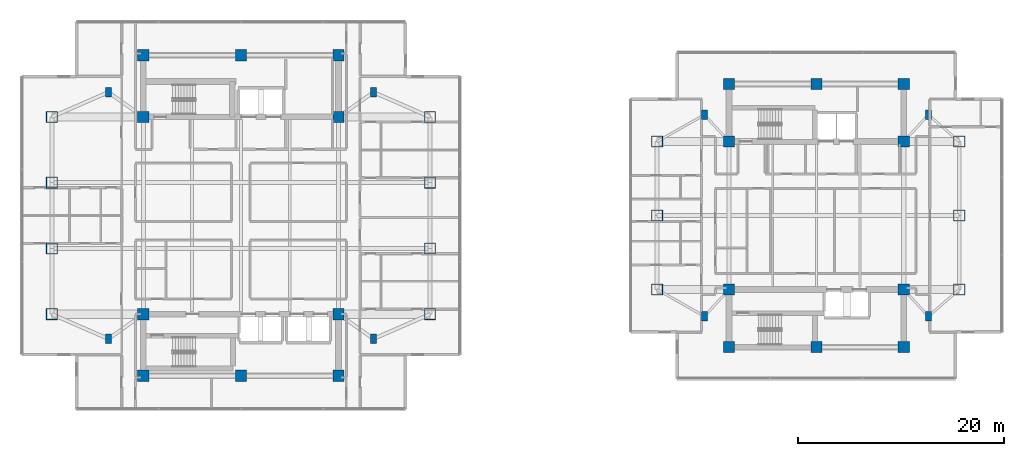
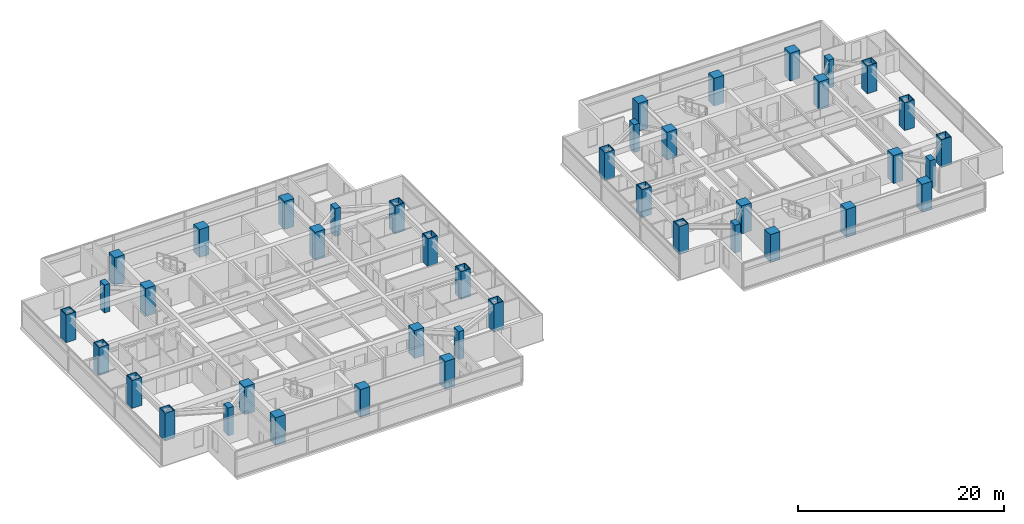
# One storey, part 1 of 24: 42 columns.
"""IFC4 building model written with IfcOpenShell, lengths in metres."""

from ifc_helpers import new_model, si_unit, direction, frame, origin, origin_2d, place, context, subcontext, project, spatial, rectangle, hollow_rectangle, extrude, material, material_profile, profile_set, type_object, element, save


model = new_model("IFC4")

# Units and contexts
model_context = context("Model", 3, precision=1e-05, world=origin(), true_north=direction((0.0, 1.0)))
body_context = subcontext(model_context, "Body", "Model", "MODEL_VIEW")
ifc_project = project(units=[si_unit("LENGTHUNIT", "METRE"), si_unit("AREAUNIT", "SQUARE_METRE"), si_unit("VOLUMEUNIT", "CUBIC_METRE"), si_unit("PLANEANGLEUNIT", "RADIAN"), si_unit("MASSUNIT", "GRAM", prefix="KILO")], contexts=[model_context])

# Site, building, storey
site_placement = place(None, origin())
site = spatial("IfcSite", under=ifc_project, at=site_placement, CompositionType="ELEMENT")
building_placement = place(site_placement, origin())
building = spatial("IfcBuilding", under=site, at=building_placement, Name="Mirazonda Arch Towers", CompositionType="ELEMENT")
storey_placement = place(building_placement, frame((0.0, 0.0, 134.60009765625)))
storey = spatial("IfcBuildingStorey", under=building, at=storey_placement, Name="L38", CompositionType="ELEMENT", Elevation=134.60009765625)

# Columns
ifc_material_1 = material(Name="Concrete C50/60", Category="concrete")
ifc_material_profile_1 = material_profile(ifc_material_1, rectangle(XDim=1.10009765625, YDim=1.10009765625, at=origin_2d()), Name="RC1100x1100")
ifc_profile_set_1 = profile_set([ifc_material_profile_1], Name="Concrete C50/60")
column_type_1 = type_object("IfcColumnType", Name="COL-INT-RC1100x1100", PredefinedType="COLUMN", material=ifc_profile_set_1)
for number, where, z_axis, x_axis, name in (
    (1, (11.0, 12.39990234375, 0.0), (0.0, 0.0, 1.0), (1.0, 0.0, 0.0), "L38 T1 Core Column 01"),
    (2, (20.5, 12.39990234375, 0.0), (0.0, 0.0, 1.0), (1.0, 0.0, 0.0), "L38 T1 Core Column 02"),
    (3, (30.0, 12.39990234375, 0.0), (0.0, 0.0, 1.0), (1.0, 0.0, 0.0), "L38 T1 Core Column 03"),
    (4, (11.0, 18.39990234375, 0.0), (0.0, 0.0, 1.0), (1.0, 0.0, 0.0), "L38 T1 Core Column 04"),
    (5, (30.0, 18.39990234375, 0.0), (0.0, 0.0, 1.0), (1.0, 0.0, 0.0), "L38 T1 Core Column 05"),
    (6, (11.0, 37.60009765625, 0.0), (0.0, 0.0, 1.0), (1.0, 0.0, 0.0), "L38 T1 Core Column 06"),
    (7, (30.0, 37.60009765625, 0.0), (0.0, 0.0, 1.0), (1.0, 0.0, 0.0), "L38 T1 Core Column 07"),
    (8, (11.0, 43.60009765625, 0.0), (0.0, 0.0, 1.0), (1.0, 0.0, 0.0), "L38 T1 Core Column 08"),
    (9, (20.5, 43.60009765625, 0.0), (0.0, 0.0, 1.0), (1.0, 0.0, 0.0), "L38 T1 Core Column 09"),
    (10, (30.0, 43.60009765625, 0.0), (0.0, 0.0, 1.0), (1.0, 0.0, 0.0), "L38 T1 Core Column 10"),
    (11, (68.0, 15.199951171875, 0.0), (0.0, 0.0, 1.0), (1.0, 0.0, 0.0), "L38 T2 Core Column 01"),
    (12, (76.5, 15.199951171875, 0.0), (0.0, 0.0, 1.0), (1.0, 0.0, 0.0), "L38 T2 Core Column 02"),
    (13, (85.0, 15.199951171875, 0.0), (0.0, 0.0, 1.0), (1.0, 0.0, 0.0), "L38 T2 Core Column 03"),
    (14, (68.0, 20.800048828125, 0.0), (0.0, 0.0, 1.0), (1.0, 0.0, 0.0), "L38 T2 Core Column 04"),
    (15, (85.0, 20.800048828125, 0.0), (0.0, 0.0, 1.0), (1.0, 0.0, 0.0), "L38 T2 Core Column 05"),
    (16, (68.0, 35.199951171875, 0.0), (0.0, 0.0, 1.0), (1.0, 0.0, 0.0), "L38 T2 Core Column 06"),
    (17, (85.0, 35.199951171875, 0.0), (0.0, 0.0, 1.0), (1.0, 0.0, 0.0), "L38 T2 Core Column 07"),
    (18, (68.0, 40.800048828125, 0.0), (0.0, 0.0, 1.0), (1.0, 0.0, 0.0), "L38 T2 Core Column 08"),
    (19, (76.5, 40.800048828125, 0.0), (0.0, 0.0, 1.0), (1.0, 0.0, 0.0), "L38 T2 Core Column 09"),
    (20, (85.0, 40.800048828125, 0.0), (0.0, 0.0, 1.0), (1.0, 0.0, 0.0), "L38 T2 Core Column 10"),
):
    element("IfcColumn", number, at=place(storey_placement, frame(where, z_axis=z_axis, x_axis=x_axis)), inside=storey, type_object=column_type_1, Name=name, PredefinedType="COLUMN", context=body_context, shape_type="SweptSolid", body=[
        extrude(rectangle(XDim=1.10009765625, YDim=1.10009765625, at=origin_2d()), origin(), (0.0, 0.0, 1.0), 3.2998046875),
    ])
ifc_material_2 = material(Name="Steel ASTM A572 Grade 50", Category="steel")
ifc_material_profile_2 = material_profile(ifc_material_2, hollow_rectangle(XDim=1.10009765625, YDim=1.10009765625, WallThickness=0.06005859375, at=origin_2d()), Name="BOX1100x1100x60")
ifc_profile_set_2 = profile_set([ifc_material_profile_2], Name="Steel ASTM A572 Grade 50")
column_type_2 = type_object("IfcColumnType", Name="MCOL-EXT-BOX1100x1100x60", PredefinedType="COLUMN", material=ifc_profile_set_2)
for number, where, z_axis, x_axis, name in (
    (21, (2.10009765625, 18.39990234375, 0.0), (0.0, 0.0, 1.0), (1.0, 0.0, 0.0), "L38 T1 Composite Mega-Column 01"),
    (22, (2.10009765625, 24.800048828125, 0.0), (0.0, 0.0, 1.0), (1.0, 0.0, 0.0), "L38 T1 Composite Mega-Column 02"),
    (23, (2.10009765625, 31.199951171875, 0.0), (0.0, 0.0, 1.0), (1.0, 0.0, 0.0), "L38 T1 Composite Mega-Column 03"),
    (24, (2.10009765625, 37.60009765625, 0.0), (0.0, 0.0, 1.0), (1.0, 0.0, 0.0), "L38 T1 Composite Mega-Column 04"),
    (25, (38.89990234375, 18.39990234375, 0.0), (0.0, 0.0, 1.0), (1.0, 0.0, 0.0), "L38 T1 Composite Mega-Column 05"),
    (26, (38.89990234375, 24.800048828125, 0.0), (0.0, 0.0, 1.0), (1.0, 0.0, 0.0), "L38 T1 Composite Mega-Column 06"),
    (27, (38.89990234375, 31.199951171875, 0.0), (0.0, 0.0, 1.0), (1.0, 0.0, 0.0), "L38 T1 Composite Mega-Column 07"),
    (28, (38.89990234375, 37.60009765625, 0.0), (0.0, 0.0, 1.0), (1.0, 0.0, 0.0), "L38 T1 Composite Mega-Column 08"),
    (29, (61.0, 20.800048828125, 0.0), (0.0, 0.0, 1.0), (1.0, 0.0, 0.0), "L38 T2 Composite Mega-Column 01"),
    (30, (61.0, 28.0, 0.0), (0.0, 0.0, 1.0), (1.0, 0.0, 0.0), "L38 T2 Composite Mega-Column 02"),
    (31, (61.0, 35.199951171875, 0.0), (0.0, 0.0, 1.0), (1.0, 0.0, 0.0), "L38 T2 Composite Mega-Column 03"),
    (32, (90.39990234375, 20.800048828125, 0.0), (0.0, 0.0, 1.0), (1.0, 0.0, 0.0), "L38 T2 Composite Mega-Column 04"),
    (33, (90.39990234375, 28.0, 0.0), (0.0, 0.0, 1.0), (1.0, 0.0, 0.0), "L38 T2 Composite Mega-Column 05"),
    (34, (90.39990234375, 35.199951171875, 0.0), (0.0, 0.0, 1.0), (1.0, 0.0, 0.0), "L38 T2 Composite Mega-Column 06"),
):
    element("IfcColumn", number, at=place(storey_placement, frame(where, z_axis=z_axis, x_axis=x_axis)), inside=storey, type_object=column_type_2, Name=name, PredefinedType="COLUMN", context=body_context, shape_type="SweptSolid", body=[
        extrude(hollow_rectangle(XDim=1.10009765625, YDim=1.10009765625, WallThickness=0.06005859375, at=origin_2d()), origin(), (0.0, 0.0, 1.0), 3.2998046875),
    ])
ifc_material_profile_3 = material_profile(ifc_material_1, rectangle(XDim=0.60009765625, YDim=0.89990234375, at=origin_2d()), Name="RC900x600")
ifc_profile_set_3 = profile_set([ifc_material_profile_3], Name="Concrete C50/60")
column_type_3 = type_object("IfcColumnType", Name="PIL-EXT-RC900x600", PredefinedType="PILASTER", material=ifc_profile_set_3)
for number, where, z_axis, x_axis, name in (
    (35, (7.60009765625, 16.0, 0.0), (0.0, 0.0, 1.0), (1.0, 0.0, 0.0), "L38 T1 Corner Pilaster 01"),
    (36, (33.39990234375, 16.0, 0.0), (0.0, 0.0, 1.0), (1.0, 0.0, 0.0), "L38 T1 Corner Pilaster 02"),
    (37, (7.60009765625, 40.0, 0.0), (0.0, 0.0, 1.0), (1.0, 0.0, 0.0), "L38 T1 Corner Pilaster 03"),
    (38, (33.39990234375, 40.0, 0.0), (0.0, 0.0, 1.0), (1.0, 0.0, 0.0), "L38 T1 Corner Pilaster 04"),
    (39, (65.60009765625, 18.199951171875, 0.0), (0.0, 0.0, 1.0), (1.0, 0.0, 0.0), "L38 T2 Corner Pilaster 01"),
    (40, (87.39990234375, 18.199951171875, 0.0), (0.0, 0.0, 1.0), (1.0, 0.0, 0.0), "L38 T2 Corner Pilaster 02"),
    (41, (65.60009765625, 37.800048828125, 0.0), (0.0, 0.0, 1.0), (1.0, 0.0, 0.0), "L38 T2 Corner Pilaster 03"),
    (42, (87.39990234375, 37.800048828125, 0.0), (0.0, 0.0, 1.0), (1.0, 0.0, 0.0), "L38 T2 Corner Pilaster 04"),
):
    element("IfcColumn", number, at=place(storey_placement, frame(where, z_axis=z_axis, x_axis=x_axis)), inside=storey, type_object=column_type_3, Name=name, PredefinedType="PILASTER", context=body_context, shape_type="SweptSolid", body=[
        extrude(rectangle(XDim=0.60009765625, YDim=0.89990234375, at=origin_2d()), origin(), (0.0, 0.0, 1.0), 3.2998046875),
    ])

save(model, "model.ifc")
